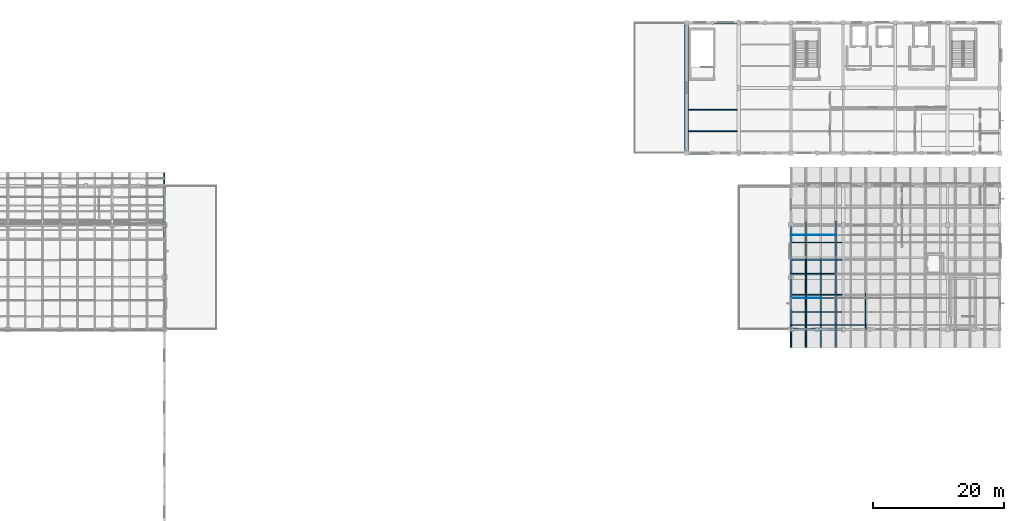
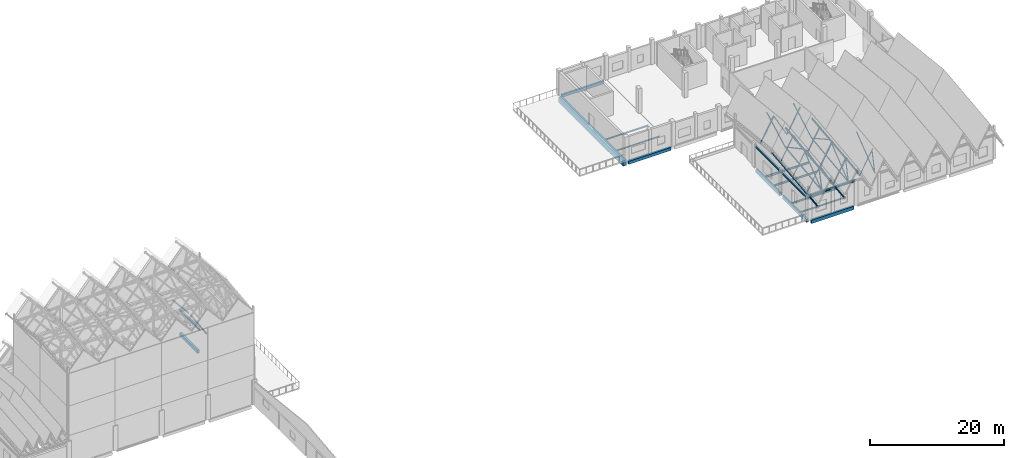
# One storey, part 17 of 48: 26 members, 23 beams.
"""IFC4 building model written with IfcOpenShell, lengths in metres."""

from ifc_helpers import new_model, si_unit, direction, frame, origin, origin_2d, place, context, subcontext, project, spatial, rectangle, hollow_rectangle, hollow_circle, i_section, extrude, material, material_profile, profile_set, type_object, element, save


model = new_model("IFC4")

# Units and contexts
model_context = context("Model", 3, precision=1e-05, world=origin(), true_north=direction((0.0, 1.0)))
body_context = subcontext(model_context, "Body", "Model", "MODEL_VIEW")
ifc_project = project(units=[si_unit("LENGTHUNIT", "METRE"), si_unit("AREAUNIT", "SQUARE_METRE"), si_unit("VOLUMEUNIT", "CUBIC_METRE"), si_unit("PLANEANGLEUNIT", "RADIAN"), si_unit("MASSUNIT", "GRAM", prefix="KILO")], contexts=[model_context])

# Site, building, storey
site_placement = place(None, origin())
site = spatial("IfcSite", under=ifc_project, at=site_placement, CompositionType="ELEMENT")
building_placement = place(site_placement, origin())
building = spatial("IfcBuilding", under=site, at=building_placement, Name="Luwemba Playhouse", CompositionType="ELEMENT")
storey_placement = place(building_placement, frame((0.0, 0.0, 13.800048828125)))
storey = spatial("IfcBuildingStorey", under=building, at=storey_placement, Name="L03", CompositionType="ELEMENT", Elevation=13.800048828125)

# Beams
ifc_material_1 = material(Name="Concrete C40/50", Category="concrete")
ifc_material_profile_1 = material_profile(ifc_material_1, rectangle(XDim=0.60009765625, YDim=1.0, at=origin_2d()))
ifc_profile_set_1 = profile_set([ifc_material_profile_1], Name="Concrete C40/50")
beam_type_1 = type_object("IfcBeamType", Name="BM-RB09", PredefinedType="BEAM", material=ifc_profile_set_1)
beam_1_placement = place(storey_placement, frame((124.0, 95.375, -0.72998046875), z_axis=(0.0, 1.0, 0.0), x_axis=(-1.0, 0.0, 0.0)))
element("IfcBeam", 1, at=beam_1_placement, inside=storey, type_object=beam_type_1, Name="L03 transverse girder 0902", PredefinedType="BEAM", context=body_context, shape_type="SweptSolid", body=[
    extrude(rectangle(XDim=0.60009765625, YDim=1.0, at=origin_2d()), origin(), (0.0, 0.0, 1.0), 19.25),
])
ifc_material_2 = material(Name="Steel S355", Category="steel")
ifc_material_profile_2 = material_profile(ifc_material_2, hollow_rectangle(XDim=0.14990234375, YDim=0.25, WallThickness=0.010009765625, InnerFilletRadius=0.014892578125, OuterFilletRadius=0.02490234375, at=origin_2d()))
ifc_profile_set_2 = profile_set([ifc_material_profile_2], Name="Steel S355")
beam_type_2 = type_object("IfcBeamType", Name="BM-RTG1", PredefinedType="USERDEFINED", material=ifc_profile_set_2)
for number, where, z_axis, x_axis, name in (
    (2, (44.0, 82.0, 4.225830078125), (0.0, 0.993769895443, 0.111451311842), (-1.0, 0.0, 0.0), "ROOF TRUSS valley girder 0146"),
    (3, (44.0, 87.300048828125, 4.7529296875), (0.0, 0.993769895443, -0.111451311842), (-1.0, 0.0, 0.0), "ROOF TRUSS valley girder 0147"),
):
    element("IfcBeam", number, at=place(storey_placement, frame(where, z_axis=z_axis, x_axis=x_axis)), inside=storey, type_object=beam_type_2, Name=name, ObjectType="ROOF TRUSS", PredefinedType="USERDEFINED", context=body_context, shape_type="SweptSolid", body=[
        extrude(hollow_rectangle(XDim=0.14990234375, YDim=0.25, WallThickness=0.010009765625, InnerFilletRadius=0.014892578125, OuterFilletRadius=0.02490234375, at=origin_2d()), origin(), (0.0, 0.0, 1.0), 4.7294921875),
    ])
beam_2_placement = place(storey_placement, frame((144.5712890625, 65.199951171875, 4.000732421875), z_axis=(0.0, 0.99376734367, 0.111474062697), x_axis=(-1.0, 0.0, 0.0)))
element("IfcBeam", 4, at=beam_2_placement, inside=storey, type_object=beam_type_2, Name="ROOF TRUSS valley girder 0216", ObjectType="ROOF TRUSS", PredefinedType="USERDEFINED", context=body_context, shape_type="SweptSolid", body=[
    extrude(hollow_rectangle(XDim=0.14990234375, YDim=0.25, WallThickness=0.010009765625, InnerFilletRadius=0.014892578125, OuterFilletRadius=0.02490234375, at=origin_2d()), origin(), (0.0, 0.0, 1.0), 13.77587890625),
])
ifc_material_profile_3 = material_profile(ifc_material_2, hollow_rectangle(XDim=0.199951171875, YDim=0.300048828125, WallThickness=0.012451171875, InnerFilletRadius=0.018798828125, OuterFilletRadius=0.03125, at=origin_2d()))
ifc_profile_set_3 = profile_set([ifc_material_profile_3], Name="Steel S355")
beam_type_3 = type_object("IfcBeamType", Name="BM-RTG2", PredefinedType="USERDEFINED", material=ifc_profile_set_3)
beam_3_placement = place(storey_placement, frame((146.857177734375, 65.199951171875, 7.876953125), z_axis=(0.0, 0.993769306798, 0.111456560446), x_axis=(-1.0, 0.0, 0.0)))
element("IfcBeam", 5, at=beam_3_placement, inside=storey, type_object=beam_type_3, Name="ROOF TRUSS ridge girder 0218", ObjectType="ROOF TRUSS", PredefinedType="USERDEFINED", context=body_context, shape_type="SweptSolid", body=[
    extrude(hollow_rectangle(XDim=0.199951171875, YDim=0.300048828125, WallThickness=0.012451171875, InnerFilletRadius=0.018798828125, OuterFilletRadius=0.03125, at=origin_2d()), origin(), (0.0, 0.0, 1.0), 13.77587890625),
])
ifc_material_profile_4 = material_profile(ifc_material_2, hollow_circle(Radius=0.136474609375, WallThickness=0.012451171875, at=origin_2d()))
ifc_profile_set_4 = profile_set([ifc_material_profile_4], Name="Steel S355")
beam_type_4 = type_object("IfcBeamType", Name="BM-RTG3", PredefinedType="USERDEFINED", material=ifc_profile_set_4)
beam_4_placement = place(storey_placement, frame((140.0, 65.199951171875, 3.9892578125), z_axis=(0.0, 0.99376734367, 0.111474062697), x_axis=(-1.0, 0.0, 0.0)))
element("IfcBeam", 6, at=beam_4_placement, inside=storey, type_object=beam_type_4, Name="ROOF TRUSS valley girder 0212", ObjectType="ROOF TRUSS", PredefinedType="USERDEFINED", context=body_context, shape_type="SweptSolid", body=[
    extrude(hollow_circle(Radius=0.136474609375, WallThickness=0.012451171875, at=origin_2d()), origin(), (0.0, 0.0, 1.0), 13.77587890625),
])
ifc_material_profile_5 = material_profile(ifc_material_2, hollow_circle(Radius=0.161865234375, WallThickness=0.01611328125, at=origin_2d()))
ifc_profile_set_5 = profile_set([ifc_material_profile_5], Name="Steel S355")
beam_type_5 = type_object("IfcBeamType", Name="BM-RTG4", PredefinedType="USERDEFINED", material=ifc_profile_set_5)
beam_5_placement = place(storey_placement, frame((142.28564453125, 65.199951171875, 7.752197265625), z_axis=(0.0, 0.993769306798, 0.111456560446), x_axis=(-1.0, 0.0, 0.0)))
element("IfcBeam", 7, at=beam_5_placement, inside=storey, type_object=beam_type_5, Name="ROOF TRUSS ridge girder 0214", ObjectType="ROOF TRUSS", PredefinedType="USERDEFINED", context=body_context, shape_type="SweptSolid", body=[
    extrude(hollow_circle(Radius=0.161865234375, WallThickness=0.01611328125, at=origin_2d()), origin(), (0.0, 0.0, 1.0), 13.77587890625),
])
ifc_material_profile_6 = material_profile(ifc_material_2, i_section(OverallWidth=0.300048828125, OverallDepth=0.360107421875, WebThickness=0.012451171875, FlangeThickness=0.0224609375, FilletRadius=0.027099609375, at=origin_2d()))
ifc_profile_set_6 = profile_set([ifc_material_profile_6], Name="Steel S355")
beam_type_6 = type_object("IfcBeamType", Name="BM-SB09", PredefinedType="BEAM", material=ifc_profile_set_6)
beam_6_placement = place(storey_placement, frame((44.0, 84.0, 3.780029296875), z_axis=(0.0, 1.0, 0.0), x_axis=(-1.0, 0.0, 0.0)))
element("IfcBeam", 8, at=beam_6_placement, inside=storey, type_object=beam_type_6, Name="RF-V2-NORTH gable ring beam 0118", PredefinedType="BEAM", context=body_context, shape_type="SweptSolid", body=[
    extrude(i_section(OverallWidth=0.300048828125, OverallDepth=0.360107421875, WebThickness=0.012451171875, FlangeThickness=0.0224609375, FilletRadius=0.027099609375, at=origin_2d()), origin(), (0.0, 0.0, 1.0), 6.0),
])
for number, where, z_axis, x_axis, name in (
    (9, (140.0, 68.0, 4.320068359375), (1.0, 0.0, 0.0), (0.0, 1.0, 0.0), "RF-V4 eave ring beam 0195"),
    (10, (140.0, 68.0, 3.780029296875), (0.0, 1.0, 0.0), (-1.0, 0.0, 0.0), "RF-V4 gable ring beam 0203"),
    (11, (140.0, 76.0, 3.780029296875), (0.0, 1.0, 0.0), (-1.0, 0.0, 0.0), "RF-V4 gable ring beam 0204"),
):
    element("IfcBeam", number, at=place(storey_placement, frame(where, z_axis=z_axis, x_axis=x_axis)), inside=storey, type_object=beam_type_6, Name=name, PredefinedType="BEAM", context=body_context, shape_type="SweptSolid", body=[
        extrude(i_section(OverallWidth=0.300048828125, OverallDepth=0.360107421875, WebThickness=0.012451171875, FlangeThickness=0.0224609375, FilletRadius=0.027099609375, at=origin_2d()), origin(), (0.0, 0.0, 1.0), 8.0),
    ])
ifc_material_profile_7 = material_profile(ifc_material_2, i_section(OverallWidth=0.1201171875, OverallDepth=0.239990234375, WebThickness=0.006103515625, FlangeThickness=0.009765625, FilletRadius=0.014892578125, at=origin_2d()))
ifc_profile_set_7 = profile_set([ifc_material_profile_7], Name="Steel S355")
beam_type_7 = type_object("IfcBeamType", Name="BM-SJ03", PredefinedType="JOIST", material=ifc_profile_set_7)
beam_7_placement = place(storey_placement, frame((124.2958984375, 98.333251953125, -0.35009765625), z_axis=(1.0, 0.0, 0.0), x_axis=(0.0, 1.0, 0.0)))
element("IfcBeam", 12, at=beam_7_placement, inside=storey, type_object=beam_type_7, Name="L03 composite floor joist 0506", PredefinedType="JOIST", context=body_context, shape_type="SweptSolid", body=[
    extrude(i_section(OverallWidth=0.1201171875, OverallDepth=0.239990234375, WebThickness=0.006103515625, FlangeThickness=0.009765625, FilletRadius=0.014892578125, at=origin_2d()), origin(), (0.0, 0.0, 1.0), 7.4580078125),
])
ifc_material_profile_8 = material_profile(ifc_material_2, i_section(OverallWidth=0.135009765625, OverallDepth=0.27001953125, WebThickness=0.006591796875, FlangeThickness=0.01025390625, FilletRadius=0.014892578125, at=origin_2d()))
ifc_profile_set_8 = profile_set([ifc_material_profile_8], Name="Steel S355")
beam_type_8 = type_object("IfcBeamType", Name="BM-SJ04", PredefinedType="JOIST", material=ifc_profile_set_8)
beam_8_placement = place(storey_placement, frame((140.1708984375, 70.666748046875, -0.364990234375), z_axis=(1.0, 0.0, 0.0), x_axis=(0.0, 1.0, 0.0)))
element("IfcBeam", 13, at=beam_8_placement, inside=storey, type_object=beam_type_8, Name="L03 composite floor joist 0489", PredefinedType="JOIST", context=body_context, shape_type="SweptSolid", body=[
    extrude(i_section(OverallWidth=0.135009765625, OverallDepth=0.27001953125, WebThickness=0.006591796875, FlangeThickness=0.01025390625, FilletRadius=0.014892578125, at=origin_2d()), origin(), (0.0, 0.0, 1.0), 7.68310546875),
])
beam_9_placement = place(storey_placement, frame((124.2958984375, 101.666748046875, -0.364990234375), z_axis=(1.0, 0.0, 0.0), x_axis=(0.0, 1.0, 0.0)))
element("IfcBeam", 14, at=beam_9_placement, inside=storey, type_object=beam_type_8, Name="L03 composite floor joist 0507", PredefinedType="JOIST", context=body_context, shape_type="SweptSolid", body=[
    extrude(i_section(OverallWidth=0.135009765625, OverallDepth=0.27001953125, WebThickness=0.006591796875, FlangeThickness=0.01025390625, FilletRadius=0.014892578125, at=origin_2d()), origin(), (0.0, 0.0, 1.0), 7.4580078125),
])
ifc_material_profile_9 = material_profile(ifc_material_2, i_section(OverallWidth=0.14990234375, OverallDepth=0.300048828125, WebThickness=0.007080078125, FlangeThickness=0.0107421875, FilletRadius=0.014892578125, at=origin_2d()))
ifc_profile_set_9 = profile_set([ifc_material_profile_9], Name="Steel S355")
beam_type_9 = type_object("IfcBeamType", Name="BM-SJ05", PredefinedType="JOIST", material=ifc_profile_set_9)
beam_10_placement = place(storey_placement, frame((140.1708984375, 73.333251953125, -0.380126953125), z_axis=(1.0, 0.0, 0.0), x_axis=(0.0, 1.0, 0.0)))
element("IfcBeam", 15, at=beam_10_placement, inside=storey, type_object=beam_type_9, Name="L03 composite floor joist 0490", PredefinedType="JOIST", context=body_context, shape_type="SweptSolid", body=[
    extrude(i_section(OverallWidth=0.14990234375, OverallDepth=0.300048828125, WebThickness=0.007080078125, FlangeThickness=0.0107421875, FilletRadius=0.014892578125, at=origin_2d()), origin(), (0.0, 0.0, 1.0), 7.68310546875),
])
ifc_material_profile_10 = material_profile(ifc_material_2, i_section(OverallWidth=0.159912109375, OverallDepth=0.330078125, WebThickness=0.007568359375, FlangeThickness=0.011474609375, FilletRadius=0.01806640625, at=origin_2d()))
ifc_profile_set_10 = profile_set([ifc_material_profile_10], Name="Steel S355")
beam_type_10 = type_object("IfcBeamType", Name="BM-SJ06", PredefinedType="JOIST", material=ifc_profile_set_10)
beam_11_placement = place(storey_placement, frame((140.1708984375, 78.666748046875, -0.39501953125), z_axis=(1.0, 0.0, 0.0), x_axis=(0.0, 1.0, 0.0)))
element("IfcBeam", 16, at=beam_11_placement, inside=storey, type_object=beam_type_10, Name="L03 composite floor joist 0491", PredefinedType="JOIST", context=body_context, shape_type="SweptSolid", body=[
    extrude(i_section(OverallWidth=0.159912109375, OverallDepth=0.330078125, WebThickness=0.007568359375, FlangeThickness=0.011474609375, FilletRadius=0.01806640625, at=origin_2d()), origin(), (0.0, 0.0, 1.0), 7.68310546875),
])
ifc_material_profile_11 = material_profile(ifc_material_2, i_section(OverallWidth=0.169921875, OverallDepth=0.360107421875, WebThickness=0.008056640625, FlangeThickness=0.0126953125, FilletRadius=0.01806640625, at=origin_2d()))
ifc_profile_set_11 = profile_set([ifc_material_profile_11], Name="Steel S355")
beam_type_11 = type_object("IfcBeamType", Name="BM-SJ07", PredefinedType="JOIST", material=ifc_profile_set_11)
beam_12_placement = place(storey_placement, frame((140.1708984375, 81.333251953125, -0.41015625), z_axis=(1.0, 0.0, 0.0), x_axis=(0.0, 1.0, 0.0)))
element("IfcBeam", 17, at=beam_12_placement, inside=storey, type_object=beam_type_11, Name="L03 composite floor joist 0492", PredefinedType="JOIST", context=body_context, shape_type="SweptSolid", body=[
    extrude(i_section(OverallWidth=0.169921875, OverallDepth=0.360107421875, WebThickness=0.008056640625, FlangeThickness=0.0126953125, FilletRadius=0.01806640625, at=origin_2d()), origin(), (0.0, 0.0, 1.0), 7.68310546875),
])
ifc_material_profile_12 = material_profile(ifc_material_1, rectangle(XDim=0.300048828125, YDim=0.5, at=origin_2d()))
ifc_profile_set_12 = profile_set([ifc_material_profile_12], Name="Concrete C40/50")
beam_type_12 = type_object("IfcBeamType", Name="BM-SP1", PredefinedType="SPANDREL", material=ifc_profile_set_12)
beam_13_placement = place(storey_placement, frame((124.375, 115.0, -0.47998046875), z_axis=(1.0, 0.0, 0.0), x_axis=(0.0, 1.0, 0.0)))
element("IfcBeam", 18, at=beam_13_placement, inside=storey, type_object=beam_type_12, Name="L03 grid girder 0896", PredefinedType="SPANDREL", context=body_context, shape_type="SweptSolid", body=[
    extrude(rectangle(XDim=0.300048828125, YDim=0.5, at=origin_2d()), origin(), (0.0, 0.0, 1.0), 7.324951171875),
])
ifc_material_profile_13 = material_profile(ifc_material_1, rectangle(XDim=0.35009765625, YDim=0.550048828125, at=origin_2d()))
ifc_profile_set_13 = profile_set([ifc_material_profile_13], Name="Concrete C40/50")
beam_type_13 = type_object("IfcBeamType", Name="BM-SP2", PredefinedType="SPANDREL", material=ifc_profile_set_13)
beam_14_placement = place(storey_placement, frame((140.0, 68.375, -0.505126953125), z_axis=(0.0, 1.0, 0.0), x_axis=(-1.0, 0.0, 0.0)))
element("IfcBeam", 19, at=beam_14_placement, inside=storey, type_object=beam_type_13, Name="L03 transverse girder 0872", PredefinedType="SPANDREL", context=body_context, shape_type="SweptSolid", body=[
    extrude(rectangle(XDim=0.35009765625, YDim=0.550048828125, at=origin_2d()), origin(), (0.0, 0.0, 1.0), 7.25),
])
beam_15_placement = place(storey_placement, frame((124.375, 95.0, -0.505126953125), z_axis=(1.0, 0.0, 0.0), x_axis=(0.0, 1.0, 0.0)))
element("IfcBeam", 20, at=beam_15_placement, inside=storey, type_object=beam_type_13, Name="L03 grid girder 0885", PredefinedType="SPANDREL", context=body_context, shape_type="SweptSolid", body=[
    extrude(rectangle(XDim=0.35009765625, YDim=0.550048828125, at=origin_2d()), origin(), (0.0, 0.0, 1.0), 7.324951171875),
])
ifc_material_profile_14 = material_profile(ifc_material_1, rectangle(XDim=0.35009765625, YDim=0.60009765625, at=origin_2d()))
ifc_profile_set_14 = profile_set([ifc_material_profile_14], Name="Concrete C40/50")
beam_type_14 = type_object("IfcBeamType", Name="BM-SP3", PredefinedType="SPANDREL", material=ifc_profile_set_14)
beam_16_placement = place(storey_placement, frame((44.0, 84.39990234375, -0.530029296875), z_axis=(0.0, 1.0, 0.0), x_axis=(-1.0, 0.0, 0.0)))
element("IfcBeam", 21, at=beam_16_placement, inside=storey, type_object=beam_type_14, Name="L03 transverse girder 0857", PredefinedType="SPANDREL", context=body_context, shape_type="SweptSolid", body=[
    extrude(rectangle(XDim=0.35009765625, YDim=0.60009765625, at=origin_2d()), origin(), (0.0, 0.0, 1.0), 5.3251953125),
])
beam_17_placement = place(storey_placement, frame((140.375, 68.0, -0.530029296875), z_axis=(1.0, 0.0, 0.0), x_axis=(0.0, 1.0, 0.0)))
element("IfcBeam", 22, at=beam_17_placement, inside=storey, type_object=beam_type_14, Name="L03 grid girder 0858", PredefinedType="SPANDREL", context=body_context, shape_type="SweptSolid", body=[
    extrude(rectangle(XDim=0.35009765625, YDim=0.60009765625, at=origin_2d()), origin(), (0.0, 0.0, 1.0), 7.324951171875),
])
beam_18_placement = place(storey_placement, frame((140.0, 76.375, -0.530029296875), z_axis=(0.0, 1.0, 0.0), x_axis=(-1.0, 0.0, 0.0)))
element("IfcBeam", 23, at=beam_18_placement, inside=storey, type_object=beam_type_14, Name="L03 transverse girder 0873", PredefinedType="SPANDREL", context=body_context, shape_type="SweptSolid", body=[
    extrude(rectangle(XDim=0.35009765625, YDim=0.60009765625, at=origin_2d()), origin(), (0.0, 0.0, 1.0), 7.25),
])

# Members
ifc_material_profile_15 = material_profile(ifc_material_2, hollow_circle(Radius=0.084228515625, WallThickness=0.008056640625, at=origin_2d()))
ifc_profile_set_15 = profile_set([ifc_material_profile_15], Name="Steel S355")
member_type_1 = type_object("IfcMemberType", Name="MEM-MB02", PredefinedType="BRACE", material=ifc_profile_set_15)
member_1_placement = place(storey_placement, frame((151.4287109375, 68.0, 4.39990234375), z_axis=(0.0, 0.788991886297, 0.614403616003), x_axis=(-1.0, 0.0, 0.0)))
element("IfcMember", 24, at=member_1_placement, inside=storey, type_object=member_type_1, Name="ROOF TRUSS web diagonal 0195", PredefinedType="BRACE", context=body_context, shape_type="SweptSolid", body=[
    extrude(hollow_circle(Radius=0.084228515625, WallThickness=0.008056640625, at=origin_2d()), origin(), (0.0, 0.0, 1.0), 6.970947265625),
])
member_2_placement = place(storey_placement, frame((151.4287109375, 68.0, 4.39990234375), z_axis=(0.0, 0.232347666706, 0.972632799044), x_axis=(-1.0, 0.0, 0.0)))
element("IfcMember", 25, at=member_2_placement, inside=storey, type_object=member_type_1, Name="ROOF TRUSS eave knee strut 0048", PredefinedType="BRACE", context=body_context, shape_type="SweptSolid", body=[
    extrude(hollow_circle(Radius=0.084228515625, WallThickness=0.008056640625, at=origin_2d()), origin(), (0.0, 0.0, 1.0), 3.873046875),
])
ifc_material_profile_16 = material_profile(ifc_material_2, hollow_rectangle(XDim=0.10009765625, YDim=0.10009765625, WallThickness=0.00634765625, InnerFilletRadius=0.009521484375, OuterFilletRadius=0.015869140625, at=origin_2d()))
ifc_profile_set_16 = profile_set([ifc_material_profile_16], Name="Steel S355")
member_type_2 = type_object("IfcMemberType", Name="MEM-MB05", PredefinedType="BRACE", material=ifc_profile_set_16)
member_3_placement = place(storey_placement, frame((142.28564453125, 68.0, 4.39990234375), z_axis=(0.0, 0.788974908765, 0.614425417231), x_axis=(-1.0, 0.0, 0.0)))
element("IfcMember", 26, at=member_3_placement, inside=storey, type_object=member_type_2, Name="ROOF TRUSS web diagonal 0183", PredefinedType="BRACE", context=body_context, shape_type="SweptSolid", body=[
    extrude(hollow_rectangle(XDim=0.10009765625, YDim=0.10009765625, WallThickness=0.00634765625, InnerFilletRadius=0.009521484375, OuterFilletRadius=0.015869140625, at=origin_2d()), origin(), (0.0, 0.0, 1.0), 6.97119140625),
])
for number, where, z_axis, x_axis, name in (
    (27, (142.28564453125, 79.0, 5.753662109375), (0.0, -0.882612008669, 0.4701021614), (1.0, 0.0, 0.0), "ROOF TRUSS web diagonal 0184"),
    (28, (142.28564453125, 79.0, 5.753662109375), (0.0, 0.882612008669, 0.4701021614), (-1.0, 0.0, 0.0), "ROOF TRUSS web diagonal 0185"),
):
    element("IfcMember", number, at=place(storey_placement, frame(where, z_axis=z_axis, x_axis=x_axis)), inside=storey, type_object=member_type_2, Name=name, PredefinedType="BRACE", context=body_context, shape_type="SweptSolid", body=[
        extrude(hollow_rectangle(XDim=0.10009765625, YDim=0.10009765625, WallThickness=0.00634765625, InnerFilletRadius=0.009521484375, OuterFilletRadius=0.015869140625, at=origin_2d()), origin(), (0.0, 0.0, 1.0), 6.2314453125),
    ])
member_4_placement = place(storey_placement, frame((142.28564453125, 68.0, 4.39990234375), z_axis=(0.0, 0.2323334223, 0.972636201713), x_axis=(-1.0, 0.0, 0.0)))
element("IfcMember", 29, at=member_4_placement, inside=storey, type_object=member_type_2, Name="ROOF TRUSS eave knee strut 0044", PredefinedType="BRACE", context=body_context, shape_type="SweptSolid", body=[
    extrude(hollow_rectangle(XDim=0.10009765625, YDim=0.10009765625, WallThickness=0.00634765625, InnerFilletRadius=0.009521484375, OuterFilletRadius=0.015869140625, at=origin_2d()), origin(), (0.0, 0.0, 1.0), 3.873291015625),
])
ifc_material_profile_17 = material_profile(ifc_material_2, hollow_rectangle(XDim=0.139892578125, YDim=0.139892578125, WallThickness=0.008056640625, InnerFilletRadius=0.011962890625, OuterFilletRadius=0.02001953125, at=origin_2d()))
ifc_profile_set_17 = profile_set([ifc_material_profile_17], Name="Steel S355")
member_type_3 = type_object("IfcMemberType", Name="MEM-MB07", PredefinedType="BRACE", material=ifc_profile_set_17)
member_5_placement = place(storey_placement, frame((146.857177734375, 68.0, 4.39990234375), z_axis=(0.0, 0.780317682275, 0.625383334227), x_axis=(-1.0, 0.0, 0.0)))
element("IfcMember", 30, at=member_5_placement, inside=storey, type_object=member_type_3, Name="ROOF TRUSS web diagonal 0189", PredefinedType="BRACE", context=body_context, shape_type="SweptSolid", body=[
    extrude(hollow_rectangle(XDim=0.139892578125, YDim=0.139892578125, WallThickness=0.008056640625, InnerFilletRadius=0.011962890625, OuterFilletRadius=0.02001953125, at=origin_2d()), origin(), (0.0, 0.0, 1.0), 7.04833984375),
])
for number, where, z_axis, x_axis, name in (
    (31, (146.857177734375, 79.0, 5.753662109375), (0.0, -0.874248787032, 0.485478174972), (1.0, 0.0, 0.0), "ROOF TRUSS web diagonal 0190"),
    (32, (146.857177734375, 79.0, 5.753662109375), (0.0, 0.874248787032, 0.485478174972), (-1.0, 0.0, 0.0), "ROOF TRUSS web diagonal 0191"),
):
    element("IfcMember", number, at=place(storey_placement, frame(where, z_axis=z_axis, x_axis=x_axis)), inside=storey, type_object=member_type_3, Name=name, PredefinedType="BRACE", context=body_context, shape_type="SweptSolid", body=[
        extrude(hollow_rectangle(XDim=0.139892578125, YDim=0.139892578125, WallThickness=0.008056640625, InnerFilletRadius=0.011962890625, OuterFilletRadius=0.02001953125, at=origin_2d()), origin(), (0.0, 0.0, 1.0), 6.291015625),
    ])
member_6_placement = place(storey_placement, frame((146.857177734375, 68.0, 4.39990234375), z_axis=(0.0, 0.225270125024, 0.974296346484), x_axis=(-1.0, 0.0, 0.0)))
element("IfcMember", 33, at=member_6_placement, inside=storey, type_object=member_type_3, Name="ROOF TRUSS eave knee strut 0046", PredefinedType="BRACE", context=body_context, shape_type="SweptSolid", body=[
    extrude(hollow_rectangle(XDim=0.139892578125, YDim=0.139892578125, WallThickness=0.008056640625, InnerFilletRadius=0.011962890625, OuterFilletRadius=0.02001953125, at=origin_2d()), origin(), (0.0, 0.0, 1.0), 3.994873046875),
])
ifc_material_profile_18 = material_profile(ifc_material_2, hollow_rectangle(XDim=0.179931640625, YDim=0.179931640625, WallThickness=0.010009765625, InnerFilletRadius=0.014892578125, OuterFilletRadius=0.02490234375, at=origin_2d()))
ifc_profile_set_18 = profile_set([ifc_material_profile_18], Name="Steel S355")
member_type_4 = type_object("IfcMemberType", Name="MEM-MC03", PredefinedType="CHORD", material=ifc_profile_set_18)
member_7_placement = place(storey_placement, frame((142.28564453125, 68.0, 4.39990234375), z_axis=(0.0, 0.992511955912, 0.122147522983), x_axis=(-1.0, 0.0, 0.0)))
element("IfcMember", 34, at=member_7_placement, inside=storey, type_object=member_type_4, Name="ROOF TRUSS south bottom chord 0181", PredefinedType="CHORD", context=body_context, shape_type="SweptSolid", body=[
    extrude(hollow_rectangle(XDim=0.179931640625, YDim=0.179931640625, WallThickness=0.010009765625, InnerFilletRadius=0.014892578125, OuterFilletRadius=0.02490234375, at=origin_2d()), origin(), (0.0, 0.0, 1.0), 11.0830078125),
])
ifc_material_profile_19 = material_profile(ifc_material_2, hollow_rectangle(XDim=0.1201171875, YDim=0.199951171875, WallThickness=0.010009765625, InnerFilletRadius=0.014892578125, OuterFilletRadius=0.02490234375, at=origin_2d()))
ifc_profile_set_19 = profile_set([ifc_material_profile_19], Name="Steel S355")
member_type_5 = type_object("IfcMemberType", Name="MEM-MC05", PredefinedType="CHORD", material=ifc_profile_set_19)
member_8_placement = place(storey_placement, frame((146.857177734375, 68.0, 4.39990234375), z_axis=(0.0, 0.992511955912, 0.122147522983), x_axis=(-1.0, 0.0, 0.0)))
element("IfcMember", 35, at=member_8_placement, inside=storey, type_object=member_type_5, Name="ROOF TRUSS south bottom chord 0187", PredefinedType="CHORD", context=body_context, shape_type="SweptSolid", body=[
    extrude(hollow_rectangle(XDim=0.1201171875, YDim=0.199951171875, WallThickness=0.010009765625, InnerFilletRadius=0.014892578125, OuterFilletRadius=0.02490234375, at=origin_2d()), origin(), (0.0, 0.0, 1.0), 11.0830078125),
])
ifc_material_profile_20 = material_profile(ifc_material_2, hollow_rectangle(XDim=0.080078125, YDim=0.1201171875, WallThickness=0.00634765625, InnerFilletRadius=0.009521484375, OuterFilletRadius=0.015869140625, at=origin_2d()))
ifc_profile_set_20 = profile_set([ifc_material_profile_20], Name="Steel S355")
member_type_6 = type_object("IfcMemberType", Name="MEM-MP01", PredefinedType="PURLIN", material=ifc_profile_set_20)
for number, where, z_axis, x_axis, name in (
    (36, (142.28564453125, 72.7900390625, 9.015625), (0.480981676724, 0.0, -0.876730646582), (0.0, 1.0, 0.0), "Pleated roof purlin 0368"),
    (37, (144.5712890625, 82.449951171875, 5.158935546875), (0.481042832061, 0.0, 0.876697093484), (0.0, 1.0, 0.0), "Pleated roof purlin 0376"),
):
    element("IfcMember", number, at=place(storey_placement, frame(where, z_axis=z_axis, x_axis=x_axis)), inside=storey, type_object=member_type_6, Name=name, PredefinedType="PURLIN", context=body_context, shape_type="SweptSolid", body=[
        extrude(hollow_rectangle(XDim=0.080078125, YDim=0.1201171875, WallThickness=0.00634765625, InnerFilletRadius=0.009521484375, OuterFilletRadius=0.015869140625, at=origin_2d()), origin(), (0.0, 0.0, 1.0), 4.751953125),
    ])
ifc_material_profile_21 = material_profile(ifc_material_2, hollow_rectangle(XDim=0.10009765625, YDim=0.14990234375, WallThickness=0.008056640625, InnerFilletRadius=0.011962890625, OuterFilletRadius=0.02001953125, at=origin_2d()))
ifc_profile_set_21 = profile_set([ifc_material_profile_21], Name="Steel S355")
member_type_7 = type_object("IfcMemberType", Name="MEM-MP02", PredefinedType="PURLIN", material=ifc_profile_set_21)
for number, where, z_axis, x_axis, name in (
    (38, (140.0, 68.64990234375, 4.351806640625), (0.48100334235, 0.0, 0.876718760292), (0.0, 1.0, 0.0), "Pleated roof purlin 0361"),
    (39, (142.28564453125, 76.51611328125, 9.400146484375), (0.48100334235, 0.0, -0.876718760292), (0.0, 1.0, 0.0), "Pleated roof purlin 0369"),
):
    element("IfcMember", number, at=place(storey_placement, frame(where, z_axis=z_axis, x_axis=x_axis)), inside=storey, type_object=member_type_7, Name=name, PredefinedType="PURLIN", context=body_context, shape_type="SweptSolid", body=[
        extrude(hollow_rectangle(XDim=0.10009765625, YDim=0.14990234375, WallThickness=0.008056640625, InnerFilletRadius=0.011962890625, OuterFilletRadius=0.02001953125, at=origin_2d()), origin(), (0.0, 0.0, 1.0), 4.751708984375),
    ])
member_9_placement = place(storey_placement, frame((149.142822265625, 68.64990234375, 4.351806640625), z_axis=(0.481021165728, 0.0, 0.876708981431), x_axis=(0.0, 1.0, 0.0)))
element("IfcMember", 40, at=member_9_placement, inside=storey, type_object=member_type_7, Name="Pleated roof purlin 0385", PredefinedType="PURLIN", context=body_context, shape_type="SweptSolid", body=[
    extrude(hollow_rectangle(XDim=0.10009765625, YDim=0.14990234375, WallThickness=0.008056640625, InnerFilletRadius=0.011962890625, OuterFilletRadius=0.02001953125, at=origin_2d()), origin(), (0.0, 0.0, 1.0), 4.752197265625),
])
ifc_material_profile_22 = material_profile(ifc_material_2, hollow_rectangle(XDim=0.080078125, YDim=0.159912109375, WallThickness=0.00634765625, InnerFilletRadius=0.009521484375, OuterFilletRadius=0.015869140625, at=origin_2d()))
ifc_profile_set_22 = profile_set([ifc_material_profile_22], Name="Steel S355")
member_type_8 = type_object("IfcMemberType", Name="MEM-MP03", PredefinedType="PURLIN", material=ifc_profile_set_22)
member_10_placement = place(storey_placement, frame((140.0, 72.7900390625, 4.829345703125), z_axis=(0.48100334235, 0.0, 0.876718760292), x_axis=(0.0, 1.0, 0.0)))
element("IfcMember", 41, at=member_10_placement, inside=storey, type_object=member_type_8, Name="Pleated roof purlin 0362", PredefinedType="PURLIN", context=body_context, shape_type="SweptSolid", body=[
    extrude(hollow_rectangle(XDim=0.080078125, YDim=0.159912109375, WallThickness=0.00634765625, InnerFilletRadius=0.009521484375, OuterFilletRadius=0.015869140625, at=origin_2d()), origin(), (0.0, 0.0, 1.0), 4.751708984375),
])
member_11_placement = place(storey_placement, frame((142.28564453125, 82.449951171875, 9.30517578125), z_axis=(0.480981676724, 0.0, -0.876730646582), x_axis=(0.0, 1.0, 0.0)))
element("IfcMember", 42, at=member_11_placement, inside=storey, type_object=member_type_8, Name="Pleated roof purlin 0370", PredefinedType="PURLIN", context=body_context, shape_type="SweptSolid", body=[
    extrude(hollow_rectangle(XDim=0.080078125, YDim=0.159912109375, WallThickness=0.00634765625, InnerFilletRadius=0.009521484375, OuterFilletRadius=0.015869140625, at=origin_2d()), origin(), (0.0, 0.0, 1.0), 4.751953125),
])
ifc_material_profile_23 = material_profile(ifc_material_2, hollow_rectangle(XDim=0.10009765625, YDim=0.179931640625, WallThickness=0.008056640625, InnerFilletRadius=0.011962890625, OuterFilletRadius=0.02001953125, at=origin_2d()))
ifc_profile_set_23 = profile_set([ifc_material_profile_23], Name="Steel S355")
member_type_9 = type_object("IfcMemberType", Name="MEM-MP04", PredefinedType="PURLIN", material=ifc_profile_set_23)
for number, where, z_axis, x_axis, name in (
    (43, (140.0, 76.51611328125, 5.218994140625), (0.480981676724, 0.0, 0.876730646582), (0.0, 1.0, 0.0), "Pleated roof purlin 0363"),
    (44, (146.857177734375, 68.64990234375, 8.5029296875), (0.480981676724, 0.0, -0.876730646582), (0.0, 1.0, 0.0), "Pleated roof purlin 0379"),
):
    element("IfcMember", number, at=place(storey_placement, frame(where, z_axis=z_axis, x_axis=x_axis)), inside=storey, type_object=member_type_9, Name=name, PredefinedType="PURLIN", context=body_context, shape_type="SweptSolid", body=[
        extrude(hollow_rectangle(XDim=0.10009765625, YDim=0.179931640625, WallThickness=0.008056640625, InnerFilletRadius=0.011962890625, OuterFilletRadius=0.02001953125, at=origin_2d()), origin(), (0.0, 0.0, 1.0), 4.751953125),
    ])
ifc_material_profile_24 = material_profile(ifc_material_2, i_section(OverallWidth=0.08203125, OverallDepth=0.159912109375, WebThickness=0.0048828125, FlangeThickness=0.00732421875, FilletRadius=0.009033203125, at=origin_2d()))
ifc_profile_set_24 = profile_set([ifc_material_profile_24], Name="Steel S355")
member_type_10 = type_object("IfcMemberType", Name="MEM-MP05", PredefinedType="PURLIN", material=ifc_profile_set_24)
member_12_placement = place(storey_placement, frame((140.0, 82.449951171875, 5.136962890625), z_axis=(0.480981676724, 0.0, 0.876730646582), x_axis=(0.0, 1.0, 0.0)))
element("IfcMember", 45, at=member_12_placement, inside=storey, type_object=member_type_10, Name="Pleated roof purlin 0364", PredefinedType="PURLIN", context=body_context, shape_type="SweptSolid", body=[
    extrude(i_section(OverallWidth=0.08203125, OverallDepth=0.159912109375, WebThickness=0.0048828125, FlangeThickness=0.00732421875, FilletRadius=0.009033203125, at=origin_2d()), origin(), (0.0, 0.0, 1.0), 4.751953125),
])
ifc_material_profile_25 = material_profile(ifc_material_2, i_section(OverallWidth=0.091064453125, OverallDepth=0.179931640625, WebThickness=0.00537109375, FlangeThickness=0.008056640625, FilletRadius=0.009033203125, at=origin_2d()))
ifc_profile_set_25 = profile_set([ifc_material_profile_25], Name="Steel S355")
member_type_11 = type_object("IfcMemberType", Name="MEM-MP06", PredefinedType="PURLIN", material=ifc_profile_set_25)
member_13_placement = place(storey_placement, frame((144.5712890625, 68.64990234375, 4.344970703125), z_axis=(0.481042832061, 0.0, 0.876697093484), x_axis=(0.0, 1.0, 0.0)))
element("IfcMember", 46, at=member_13_placement, inside=storey, type_object=member_type_11, Name="Pleated roof purlin 0373", PredefinedType="PURLIN", context=body_context, shape_type="SweptSolid", body=[
    extrude(i_section(OverallWidth=0.091064453125, OverallDepth=0.179931640625, WebThickness=0.00537109375, FlangeThickness=0.008056640625, FilletRadius=0.009033203125, at=origin_2d()), origin(), (0.0, 0.0, 1.0), 4.751953125),
])
ifc_material_profile_26 = material_profile(ifc_material_2, i_section(OverallWidth=0.10009765625, OverallDepth=0.199951171875, WebThickness=0.005615234375, FlangeThickness=0.008544921875, FilletRadius=0.011962890625, at=origin_2d()))
ifc_profile_set_26 = profile_set([ifc_material_profile_26], Name="Steel S355")
member_type_12 = type_object("IfcMemberType", Name="MEM-MP07", PredefinedType="PURLIN", material=ifc_profile_set_26)
member_14_placement = place(storey_placement, frame((144.5712890625, 72.7900390625, 4.791015625), z_axis=(0.481021165728, 0.0, 0.876708981431), x_axis=(0.0, 1.0, 0.0)))
element("IfcMember", 47, at=member_14_placement, inside=storey, type_object=member_type_12, Name="Pleated roof purlin 0374", PredefinedType="PURLIN", context=body_context, shape_type="SweptSolid", body=[
    extrude(i_section(OverallWidth=0.10009765625, OverallDepth=0.199951171875, WebThickness=0.005615234375, FlangeThickness=0.008544921875, FilletRadius=0.011962890625, at=origin_2d()), origin(), (0.0, 0.0, 1.0), 4.752197265625),
])
ifc_material_profile_27 = material_profile(ifc_material_2, i_section(OverallWidth=0.110107421875, OverallDepth=0.219970703125, WebThickness=0.005859375, FlangeThickness=0.00927734375, FilletRadius=0.011962890625, at=origin_2d()))
ifc_profile_set_27 = profile_set([ifc_material_profile_27], Name="Steel S355")
member_type_13 = type_object("IfcMemberType", Name="MEM-MP08", PredefinedType="PURLIN", material=ifc_profile_set_27)
for number, where, z_axis, x_axis, name in (
    (48, (142.28564453125, 68.64990234375, 8.473876953125), (0.480981676724, 0.0, -0.876730646582), (0.0, 1.0, 0.0), "Pleated roof purlin 0367"),
    (49, (144.5712890625, 76.51611328125, 5.18994140625), (0.481042832061, 0.0, 0.876697093484), (0.0, 1.0, 0.0), "Pleated roof purlin 0375"),
):
    element("IfcMember", number, at=place(storey_placement, frame(where, z_axis=z_axis, x_axis=x_axis)), inside=storey, type_object=member_type_13, Name=name, PredefinedType="PURLIN", context=body_context, shape_type="SweptSolid", body=[
        extrude(i_section(OverallWidth=0.110107421875, OverallDepth=0.219970703125, WebThickness=0.005859375, FlangeThickness=0.00927734375, FilletRadius=0.011962890625, at=origin_2d()), origin(), (0.0, 0.0, 1.0), 4.751953125),
    ])

save(model, "model.ifc")
